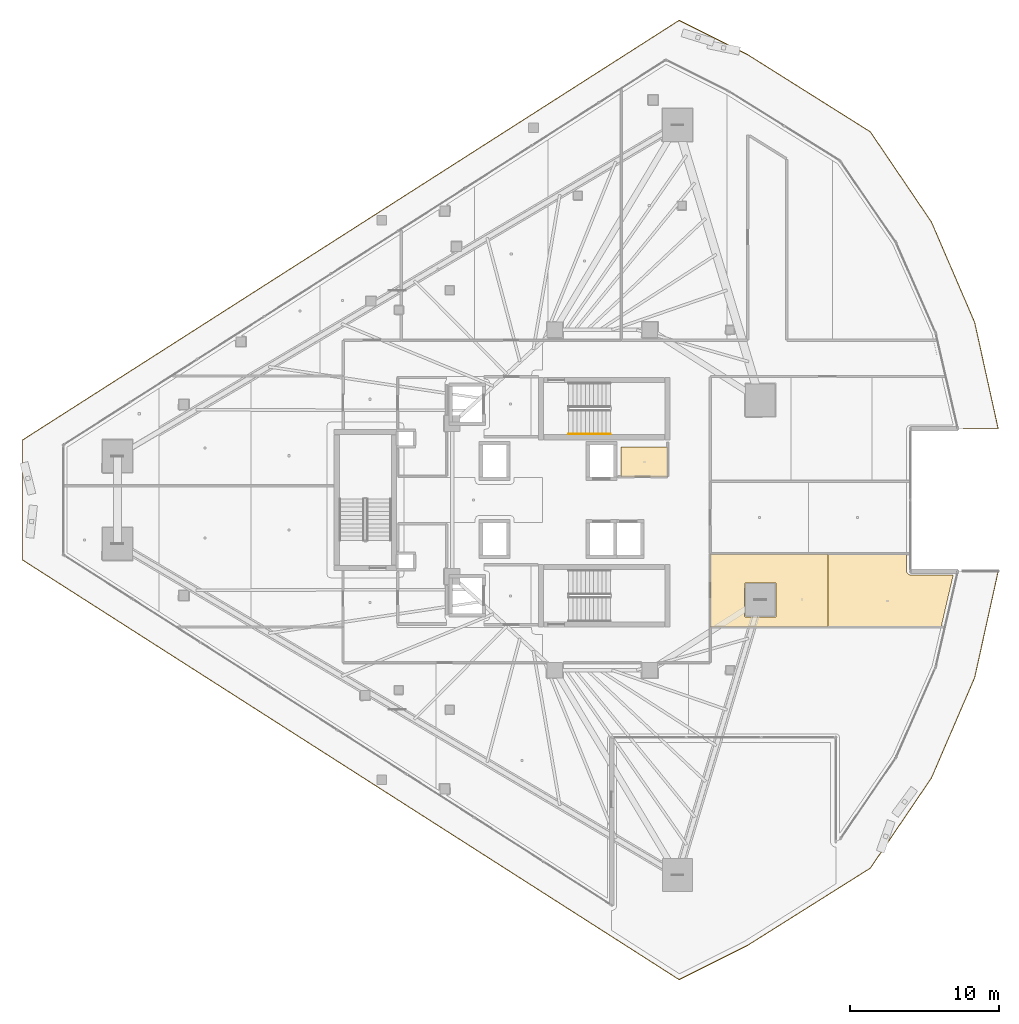
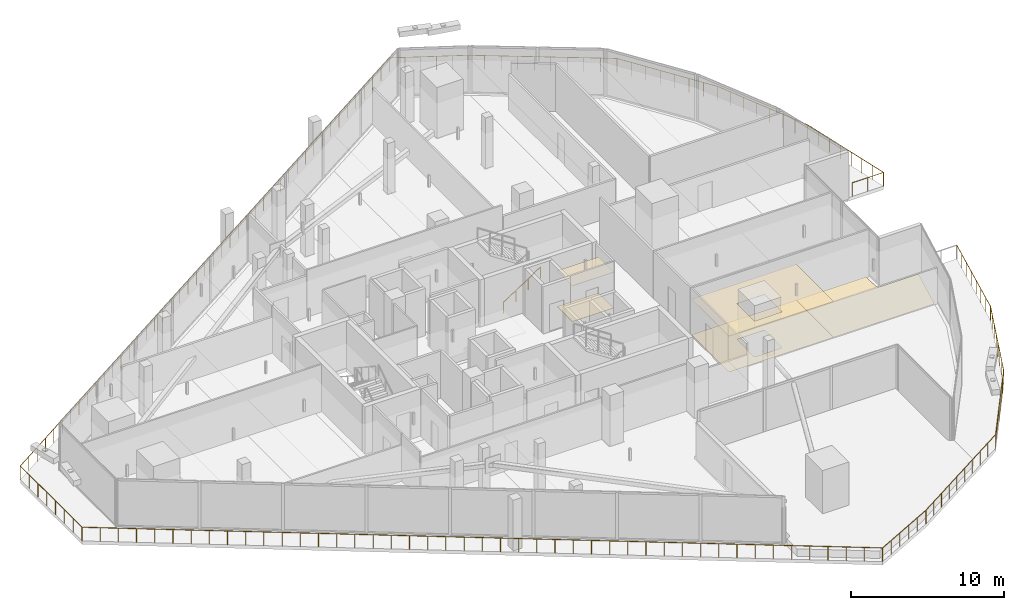
# One storey, part 40 of 43: 5 coverings, 2 railings.
"""IFC4 building model written with IfcOpenShell, lengths in metres."""

from ifc_helpers import new_model, si_unit, direction, frame, origin, origin_2d, place, context, subcontext, project, spatial, polyline, circle, outline, extrude, material, layer, layer_set, type_object, element, save


model = new_model("IFC4")

# Units and contexts
model_context = context("Model", 3, precision=1e-05, world=origin(), true_north=direction((0.0, 1.0)))
body_context = subcontext(model_context, "Body", "Model", "MODEL_VIEW")
ifc_project = project(units=[si_unit("LENGTHUNIT", "METRE"), si_unit("AREAUNIT", "SQUARE_METRE"), si_unit("VOLUMEUNIT", "CUBIC_METRE"), si_unit("PLANEANGLEUNIT", "RADIAN"), si_unit("MASSUNIT", "GRAM", prefix="KILO")], contexts=[model_context])

# Site, building, storey
site_placement = place(None, origin())
site = spatial("IfcSite", under=ifc_project, at=site_placement, CompositionType="ELEMENT")
building_placement = place(site_placement, origin())
building = spatial("IfcBuilding", under=site, at=building_placement, Name="Qorvath Tower", CompositionType="ELEMENT")
storey_placement = place(building_placement, frame((0.0, 0.0, 150.300048828125)))
storey = spatial("IfcBuildingStorey", under=building, at=storey_placement, Name="L34", CompositionType="ELEMENT", Elevation=150.300048828125)

# Coverings
ifc_material_1 = material(Name="Acoustic mineral fibre ceiling tile", Category="gypsum")
ifc_layer_1 = layer(ifc_material_1, 0.030029296875)
ifc_layer_set_1 = layer_set([ifc_layer_1], Name="COV-CEIL")
covering_type_1 = type_object("IfcCoveringType", Name="COV-CEIL", PredefinedType="CEILING", material=ifc_layer_set_1)
covering_1_placement = place(storey_placement, frame((0.0, 0.0, 2.849853515625)))
element("IfcCovering", 1, at=covering_1_placement, inside=storey, type_object=covering_type_1, Name="L34 Suspended Acoustic Ceiling 003", PredefinedType="CEILING", context=body_context, shape_type="SweptSolid", body=[
    extrude(outline(polyline([(-16.0048828125, 3.56005859375), (-19.139892578125, 3.56005859375), (-19.139892578125, 1.56494140625), (-16.0048828125, 1.56494140625), (-16.0048828125, 3.56005859375)])), origin(), (0.0, 0.0, 1.0), 0.030029296875),
])
covering_2_placement = place(storey_placement, frame((0.0, 0.0, 2.849853515625)))
element("IfcCovering", 2, at=covering_2_placement, inside=storey, type_object=covering_type_1, Name="L34 Suspended Acoustic Ceiling 020", PredefinedType="CEILING", context=body_context, shape_type="SweptSolid", body=[
    extrude(outline(polyline([(-5.210693359375, -8.537109375), (-5.210693359375, -3.623779296875), (-13.136962890625, -3.623779296875), (-13.136962890625, -8.537109375), (-5.210693359375, -8.537109375)]), holes=[polyline([(-10.830322265625, -7.8212890625), (-10.812744140625, -5.578857421875), (-8.727783203125, -5.578857421875), (-8.727783203125, -7.86376953125), (-10.770263671875, -7.88134765625), (-10.830322265625, -7.8212890625)])]), origin(), (0.0, 0.0, 1.0), 0.030029296875),
])
ifc_material_2 = material(Name="Low-VOC modular carpet tile", Category="textile")
ifc_layer_2 = layer(ifc_material_2, 0.014892578125)
ifc_layer_set_2 = layer_set([ifc_layer_2], Name="COV-FLOOR-CPT")
covering_type_2 = type_object("IfcCoveringType", Name="COV-FLOOR-CPT", PredefinedType="FLOORING", material=ifc_layer_set_2)
covering_3_placement = place(storey_placement, origin())
element("IfcCovering", 3, at=covering_3_placement, inside=storey, type_object=covering_type_2, Name="L34 Floor Finish 003", PredefinedType="FLOORING", context=body_context, shape_type="SweptSolid", body=[
    extrude(outline(polyline([(-16.0048828125, 3.56005859375), (-19.139892578125, 3.56005859375), (-19.139892578125, 1.56494140625), (-16.0048828125, 1.56494140625), (-16.0048828125, 3.56005859375)])), origin(), (0.0, 0.0, 1.0), 0.014892578125),
])
covering_4_placement = place(storey_placement, origin())
element("IfcCovering", 4, at=covering_4_placement, inside=storey, type_object=covering_type_2, Name="L34 Floor Finish 020", PredefinedType="FLOORING", context=body_context, shape_type="SweptSolid", body=[
    extrude(outline(polyline([(-5.210693359375, -8.537109375), (-5.210693359375, -3.623779296875), (-13.136962890625, -3.623779296875), (-13.136962890625, -8.537109375), (-5.210693359375, -8.537109375)]), holes=[polyline([(-10.830322265625, -7.8212890625), (-10.812744140625, -5.578857421875), (-8.727783203125, -5.578857421875), (-8.727783203125, -7.86376953125), (-10.770263671875, -7.88134765625), (-10.830322265625, -7.8212890625)])]), origin(), (0.0, 0.0, 1.0), 0.014892578125),
])
covering_5_placement = place(storey_placement, origin())
element("IfcCovering", 5, at=covering_5_placement, inside=storey, type_object=covering_type_2, Name="L34 Floor Finish 021", PredefinedType="FLOORING", context=body_context, shape_type="SweptSolid", body=[
    extrude(outline(polyline([(0.177001953125, -4.990966796875), (0.089599609375, -4.843994140625), (0.084716796875, -3.623779296875), (-5.210693359375, -3.623779296875), (-5.210693359375, -8.537109375), (2.408203125, -8.537109375), (3.2158203125, -5.05029296875), (0.315185546875, -5.049072265625), (0.177001953125, -4.990966796875)])), origin(), (0.0, 0.0, 1.0), 0.014892578125),
])

# Railings
ifc_material_3 = material(Name="Laminated safety glass and stainless steel AISI 316", Category="steel")
railing_type_1 = type_object("IfcRailingType", Name="RL-EXT-GRD", PredefinedType="GUARDRAIL", material=ifc_material_3)
railing_1_placement = place(storey_placement, frame((6.252685546875, -4.795166015625, 0.0)))
element("IfcRailing", 6, at=railing_1_placement, inside=storey, type_object=railing_type_1, Name="Loggia Perimeter Guardrail L34-1.1", PredefinedType="GUARDRAIL", context=body_context, shape_type="SweptSolid", body=[
    extrude(circle(Radius=0.02392578125, at=origin_2d()), frame((0.0, 0.0, 1.09619140625), z_axis=(-0.216081952591, -0.976375230003, 0.0), x_axis=(0.976375230003, -0.216081952591, 0.0)), (0.0, 0.0, 1.0), 7.343017578125),
    extrude(circle(Radius=0.02392578125, at=origin_2d()), frame((-1.586669921875, -7.16943359375, 1.09619140625), z_axis=(-0.395483671484, -0.918473007545, 0.0), x_axis=(0.918473007545, -0.395483671484, 0.0)), (0.0, 0.0, 1.0), 7.343017578125),
    extrude(circle(Radius=0.02392578125, at=origin_2d()), frame((-4.49072265625, -13.913818359375, 1.09619140625), z_axis=(-0.560823149811, -0.827935622278, 0.0), x_axis=(0.827935622278, -0.560823149811, 0.0)), (0.0, 0.0, 1.0), 7.343017578125),
    extrude(circle(Radius=0.02392578125, at=origin_2d()), frame((-8.60888671875, -19.993408203125, 1.09619140625), z_axis=(-0.846489105075, -0.532406043344, 0.0), x_axis=(0.532406043344, -0.846489105075, 0.0)), (0.0, 0.0, 1.0), 9.7646484375),
    extrude(circle(Radius=0.02392578125, at=origin_2d()), frame((-16.87451171875, -25.192138671875, 1.09619140625), z_axis=(-0.89443665724, -0.447194662518, 0.0), x_axis=(0.447194662518, -0.89443665724, 0.0)), (0.0, 0.0, 1.0), 5.157958984375),
    extrude(circle(Radius=0.02392578125, at=origin_2d()), frame((-21.488037109375, -27.498779296875, 1.09619140625), z_axis=(-0.842602658811, 0.538535754954, 0.0), x_axis=(-0.538535754954, -0.842602658811, 0.0)), (0.0, 0.0, 1.0), 52.470703125),
    extrude(circle(Radius=0.02392578125, at=origin_2d()), frame((-65.699951171875, 0.758544921875, 1.09619140625), z_axis=(0.0, 1.0, 0.0), x_axis=(-1.0, 0.0, 0.0)), (0.0, 0.0, 1.0), 8.0732421875),
    extrude(circle(Radius=0.02392578125, at=origin_2d()), frame((-65.699951171875, 8.831787109375, 1.09619140625), z_axis=(0.842602658811, 0.538535754954, 0.0), x_axis=(-0.538535754954, 0.842602658811, 0.0)), (0.0, 0.0, 1.0), 52.470703125),
    extrude(circle(Radius=0.02392578125, at=origin_2d()), frame((-21.488037109375, 37.089111328125, 1.09619140625), z_axis=(0.89443665724, -0.447194662518, 0.0), x_axis=(0.447194662518, 0.89443665724, 0.0)), (0.0, 0.0, 1.0), 5.157958984375),
    extrude(circle(Radius=0.02392578125, at=origin_2d()), frame((-16.87451171875, 34.782470703125, 1.09619140625), z_axis=(0.846489105075, -0.532406043344, 0.0), x_axis=(0.532406043344, 0.846489105075, 0.0)), (0.0, 0.0, 1.0), 9.7646484375),
    extrude(circle(Radius=0.02392578125, at=origin_2d()), frame((-8.60888671875, 29.583740234375, 1.09619140625), z_axis=(0.560823149811, -0.827935622278, 0.0), x_axis=(0.827935622278, 0.560823149811, 0.0)), (0.0, 0.0, 1.0), 7.343017578125),
    extrude(circle(Radius=0.02392578125, at=origin_2d()), frame((-4.49072265625, 23.504150390625, 1.09619140625), z_axis=(0.395483671484, -0.918473007545, 0.0), x_axis=(0.918473007545, 0.395483671484, 0.0)), (0.0, 0.0, 1.0), 7.343017578125),
    extrude(circle(Radius=0.02392578125, at=origin_2d()), frame((-1.586669921875, 16.759765625, 1.09619140625), z_axis=(0.216081952591, -0.976375230003, 0.0), x_axis=(0.976375230003, 0.216081952591, 0.0)), (0.0, 0.0, 1.0), 7.343017578125),
    extrude(circle(Radius=0.02392578125, at=origin_2d()), frame((0.0, 9.59033203125, 1.09619140625), z_axis=(-1.0, 0.0, 0.0), x_axis=(0.0, -1.0, 0.0)), (0.0, 0.0, 1.0), 2.366455078125),
    extrude(circle(Radius=0.02099609375, at=origin_2d()), origin(), (0.0, 0.0, 1.0), 1.072021484375),
    extrude(circle(Radius=0.02099609375, at=origin_2d()), frame((-0.2265625, -1.024169921875, 0.0)), (0.0, 0.0, 1.0), 1.072021484375),
    extrude(circle(Radius=0.02099609375, at=origin_2d()), frame((-0.453369140625, -2.04833984375, 0.0)), (0.0, 0.0, 1.0), 1.072021484375),
    extrude(circle(Radius=0.02099609375, at=origin_2d()), frame((-0.679931640625, -3.072509765625, 0.0)), (0.0, 0.0, 1.0), 1.072021484375),
    extrude(circle(Radius=0.02099609375, at=origin_2d()), frame((-0.90673828125, -4.096923828125, 0.0)), (0.0, 0.0, 1.0), 1.072021484375),
    extrude(circle(Radius=0.02099609375, at=origin_2d()), frame((-1.13330078125, -5.12109375, 0.0)), (0.0, 0.0, 1.0), 1.072021484375),
    extrude(circle(Radius=0.02099609375, at=origin_2d()), frame((-1.360107421875, -6.145263671875, 0.0)), (0.0, 0.0, 1.0), 1.072021484375),
    extrude(circle(Radius=0.02099609375, at=origin_2d()), frame((-1.586669921875, -7.16943359375, 0.0)), (0.0, 0.0, 1.0), 1.072021484375),
    extrude(circle(Radius=0.02099609375, at=origin_2d()), frame((-2.00146484375, -8.1328125, 0.0)), (0.0, 0.0, 1.0), 1.072021484375),
    extrude(circle(Radius=0.02099609375, at=origin_2d()), frame((-2.41650390625, -9.096435546875, 0.0)), (0.0, 0.0, 1.0), 1.072021484375),
    extrude(circle(Radius=0.02099609375, at=origin_2d()), frame((-2.831298828125, -10.059814453125, 0.0)), (0.0, 0.0, 1.0), 1.072021484375),
    extrude(circle(Radius=0.02099609375, at=origin_2d()), frame((-3.24609375, -11.0234375, 0.0)), (0.0, 0.0, 1.0), 1.072021484375),
    extrude(circle(Radius=0.02099609375, at=origin_2d()), frame((-3.660888671875, -11.98681640625, 0.0)), (0.0, 0.0, 1.0), 1.072021484375),
    extrude(circle(Radius=0.02099609375, at=origin_2d()), frame((-4.075927734375, -12.950439453125, 0.0)), (0.0, 0.0, 1.0), 1.072021484375),
    extrude(circle(Radius=0.02099609375, at=origin_2d()), frame((-4.49072265625, -13.913818359375, 0.0)), (0.0, 0.0, 1.0), 1.072021484375),
    extrude(circle(Radius=0.02099609375, at=origin_2d()), frame((-5.0791015625, -14.7822265625, 0.0)), (0.0, 0.0, 1.0), 1.072021484375),
    extrude(circle(Radius=0.02099609375, at=origin_2d()), frame((-5.667236328125, -15.65087890625, 0.0)), (0.0, 0.0, 1.0), 1.072021484375),
    extrude(circle(Radius=0.02099609375, at=origin_2d()), frame((-6.255615234375, -16.519287109375, 0.0)), (0.0, 0.0, 1.0), 1.072021484375),
    extrude(circle(Radius=0.02099609375, at=origin_2d()), frame((-6.843994140625, -17.387939453125, 0.0)), (0.0, 0.0, 1.0), 1.072021484375),
    extrude(circle(Radius=0.02099609375, at=origin_2d()), frame((-7.432373046875, -18.25634765625, 0.0)), (0.0, 0.0, 1.0), 1.072021484375),
    extrude(circle(Radius=0.02099609375, at=origin_2d()), frame((-8.0205078125, -19.125, 0.0)), (0.0, 0.0, 1.0), 1.072021484375),
    extrude(circle(Radius=0.02099609375, at=origin_2d()), frame((-8.60888671875, -19.993408203125, 0.0)), (0.0, 0.0, 1.0), 1.072021484375),
    extrude(circle(Radius=0.02099609375, at=origin_2d()), frame((-9.52734375, -20.571044921875, 0.0)), (0.0, 0.0, 1.0), 1.072021484375),
    extrude(circle(Radius=0.02099609375, at=origin_2d()), frame((-10.44580078125, -21.148681640625, 0.0)), (0.0, 0.0, 1.0), 1.072021484375),
    extrude(circle(Radius=0.02099609375, at=origin_2d()), frame((-11.364013671875, -21.726318359375, 0.0)), (0.0, 0.0, 1.0), 1.072021484375),
    extrude(circle(Radius=0.02099609375, at=origin_2d()), frame((-12.282470703125, -22.303955078125, 0.0)), (0.0, 0.0, 1.0), 1.072021484375),
    extrude(circle(Radius=0.02099609375, at=origin_2d()), frame((-13.200927734375, -22.881591796875, 0.0)), (0.0, 0.0, 1.0), 1.072021484375),
    extrude(circle(Radius=0.02099609375, at=origin_2d()), frame((-14.119384765625, -23.459228515625, 0.0)), (0.0, 0.0, 1.0), 1.072021484375),
    extrude(circle(Radius=0.02099609375, at=origin_2d()), frame((-15.03759765625, -24.036865234375, 0.0)), (0.0, 0.0, 1.0), 1.072021484375),
    extrude(circle(Radius=0.02099609375, at=origin_2d()), frame((-15.9560546875, -24.614501953125, 0.0)), (0.0, 0.0, 1.0), 1.072021484375),
    extrude(circle(Radius=0.02099609375, at=origin_2d()), frame((-16.87451171875, -25.192138671875, 0.0)), (0.0, 0.0, 1.0), 1.072021484375),
    extrude(circle(Radius=0.02099609375, at=origin_2d()), frame((-17.797119140625, -25.653564453125, 0.0)), (0.0, 0.0, 1.0), 1.072021484375),
    extrude(circle(Radius=0.02099609375, at=origin_2d()), frame((-18.719970703125, -26.11474609375, 0.0)), (0.0, 0.0, 1.0), 1.072021484375),
    extrude(circle(Radius=0.02099609375, at=origin_2d()), frame((-19.642578125, -26.576171875, 0.0)), (0.0, 0.0, 1.0), 1.072021484375),
    extrude(circle(Radius=0.02099609375, at=origin_2d()), frame((-20.5654296875, -27.037353515625, 0.0)), (0.0, 0.0, 1.0), 1.072021484375),
    extrude(circle(Radius=0.02099609375, at=origin_2d()), frame((-21.488037109375, -27.498779296875, 0.0)), (0.0, 0.0, 1.0), 1.072021484375),
    extrude(circle(Radius=0.02099609375, at=origin_2d()), frame((-22.492919921875, -26.8564453125, 0.0)), (0.0, 0.0, 1.0), 1.072021484375),
    extrude(circle(Radius=0.02099609375, at=origin_2d()), frame((-23.49755859375, -26.21435546875, 0.0)), (0.0, 0.0, 1.0), 1.072021484375),
    extrude(circle(Radius=0.02099609375, at=origin_2d()), frame((-24.50244140625, -25.572265625, 0.0)), (0.0, 0.0, 1.0), 1.072021484375),
    extrude(circle(Radius=0.02099609375, at=origin_2d()), frame((-25.50732421875, -24.929931640625, 0.0)), (0.0, 0.0, 1.0), 1.072021484375),
    extrude(circle(Radius=0.02099609375, at=origin_2d()), frame((-26.51220703125, -24.28759765625, 0.0)), (0.0, 0.0, 1.0), 1.072021484375),
    extrude(circle(Radius=0.02099609375, at=origin_2d()), frame((-27.516845703125, -23.6455078125, 0.0)), (0.0, 0.0, 1.0), 1.072021484375),
    extrude(circle(Radius=0.02099609375, at=origin_2d()), frame((-28.521728515625, -23.00341796875, 0.0)), (0.0, 0.0, 1.0), 1.072021484375),
    extrude(circle(Radius=0.02099609375, at=origin_2d()), frame((-29.526611328125, -22.361083984375, 0.0)), (0.0, 0.0, 1.0), 1.072021484375),
    extrude(circle(Radius=0.02099609375, at=origin_2d()), frame((-30.531494140625, -21.71875, 0.0)), (0.0, 0.0, 1.0), 1.072021484375),
    extrude(circle(Radius=0.02099609375, at=origin_2d()), frame((-31.5361328125, -21.07666015625, 0.0)), (0.0, 0.0, 1.0), 1.072021484375),
    extrude(circle(Radius=0.02099609375, at=origin_2d()), frame((-32.541015625, -20.4345703125, 0.0)), (0.0, 0.0, 1.0), 1.072021484375),
    extrude(circle(Radius=0.02099609375, at=origin_2d()), frame((-33.5458984375, -19.792236328125, 0.0)), (0.0, 0.0, 1.0), 1.072021484375),
    extrude(circle(Radius=0.02099609375, at=origin_2d()), frame((-34.550537109375, -19.14990234375, 0.0)), (0.0, 0.0, 1.0), 1.072021484375),
    extrude(circle(Radius=0.02099609375, at=origin_2d()), frame((-35.555419921875, -18.5078125, 0.0)), (0.0, 0.0, 1.0), 1.072021484375),
    extrude(circle(Radius=0.02099609375, at=origin_2d()), frame((-36.560302734375, -17.86572265625, 0.0)), (0.0, 0.0, 1.0), 1.072021484375),
    extrude(circle(Radius=0.02099609375, at=origin_2d()), frame((-37.565185546875, -17.223388671875, 0.0)), (0.0, 0.0, 1.0), 1.072021484375),
    extrude(circle(Radius=0.02099609375, at=origin_2d()), frame((-38.56982421875, -16.5810546875, 0.0)), (0.0, 0.0, 1.0), 1.072021484375),
    extrude(circle(Radius=0.02099609375, at=origin_2d()), frame((-39.57470703125, -15.93896484375, 0.0)), (0.0, 0.0, 1.0), 1.072021484375),
    extrude(circle(Radius=0.02099609375, at=origin_2d()), frame((-40.57958984375, -15.296875, 0.0)), (0.0, 0.0, 1.0), 1.072021484375),
    extrude(circle(Radius=0.02099609375, at=origin_2d()), frame((-41.58447265625, -14.654541015625, 0.0)), (0.0, 0.0, 1.0), 1.072021484375),
    extrude(circle(Radius=0.02099609375, at=origin_2d()), frame((-42.589111328125, -14.01220703125, 0.0)), (0.0, 0.0, 1.0), 1.072021484375),
    extrude(circle(Radius=0.02099609375, at=origin_2d()), frame((-43.593994140625, -13.3701171875, 0.0)), (0.0, 0.0, 1.0), 1.072021484375),
    extrude(circle(Radius=0.02099609375, at=origin_2d()), frame((-44.598876953125, -12.72802734375, 0.0)), (0.0, 0.0, 1.0), 1.072021484375),
    extrude(circle(Radius=0.02099609375, at=origin_2d()), frame((-45.603515625, -12.085693359375, 0.0)), (0.0, 0.0, 1.0), 1.072021484375),
    extrude(circle(Radius=0.02099609375, at=origin_2d()), frame((-46.6083984375, -11.443359375, 0.0)), (0.0, 0.0, 1.0), 1.072021484375),
    extrude(circle(Radius=0.02099609375, at=origin_2d()), frame((-47.61328125, -10.80126953125, 0.0)), (0.0, 0.0, 1.0), 1.072021484375),
    extrude(circle(Radius=0.02099609375, at=origin_2d()), frame((-48.6181640625, -10.1591796875, 0.0)), (0.0, 0.0, 1.0), 1.072021484375),
    extrude(circle(Radius=0.02099609375, at=origin_2d()), frame((-49.622802734375, -9.516845703125, 0.0)), (0.0, 0.0, 1.0), 1.072021484375),
    extrude(circle(Radius=0.02099609375, at=origin_2d()), frame((-50.627685546875, -8.87451171875, 0.0)), (0.0, 0.0, 1.0), 1.072021484375),
    extrude(circle(Radius=0.02099609375, at=origin_2d()), frame((-51.632568359375, -8.232421875, 0.0)), (0.0, 0.0, 1.0), 1.072021484375),
    extrude(circle(Radius=0.02099609375, at=origin_2d()), frame((-52.637451171875, -7.59033203125, 0.0)), (0.0, 0.0, 1.0), 1.072021484375),
    extrude(circle(Radius=0.02099609375, at=origin_2d()), frame((-53.64208984375, -6.947998046875, 0.0)), (0.0, 0.0, 1.0), 1.072021484375),
    extrude(circle(Radius=0.02099609375, at=origin_2d()), frame((-54.64697265625, -6.3056640625, 0.0)), (0.0, 0.0, 1.0), 1.072021484375),
    extrude(circle(Radius=0.02099609375, at=origin_2d()), frame((-55.65185546875, -5.66357421875, 0.0)), (0.0, 0.0, 1.0), 1.072021484375),
    extrude(circle(Radius=0.02099609375, at=origin_2d()), frame((-56.656494140625, -5.021484375, 0.0)), (0.0, 0.0, 1.0), 1.072021484375),
    extrude(circle(Radius=0.02099609375, at=origin_2d()), frame((-57.661376953125, -4.379150390625, 0.0)), (0.0, 0.0, 1.0), 1.072021484375),
    extrude(circle(Radius=0.02099609375, at=origin_2d()), frame((-58.666259765625, -3.73681640625, 0.0)), (0.0, 0.0, 1.0), 1.072021484375),
    extrude(circle(Radius=0.02099609375, at=origin_2d()), frame((-59.671142578125, -3.0947265625, 0.0)), (0.0, 0.0, 1.0), 1.072021484375),
    extrude(circle(Radius=0.02099609375, at=origin_2d()), frame((-60.67578125, -2.45263671875, 0.0)), (0.0, 0.0, 1.0), 1.072021484375),
    extrude(circle(Radius=0.02099609375, at=origin_2d()), frame((-61.6806640625, -1.810302734375, 0.0)), (0.0, 0.0, 1.0), 1.072021484375),
    extrude(circle(Radius=0.02099609375, at=origin_2d()), frame((-62.685546875, -1.16796875, 0.0)), (0.0, 0.0, 1.0), 1.072021484375),
    extrude(circle(Radius=0.02099609375, at=origin_2d()), frame((-63.6904296875, -0.52587890625, 0.0)), (0.0, 0.0, 1.0), 1.072021484375),
    extrude(circle(Radius=0.02099609375, at=origin_2d()), frame((-64.695068359375, 0.1162109375, 0.0)), (0.0, 0.0, 1.0), 1.072021484375),
    extrude(circle(Radius=0.02099609375, at=origin_2d()), frame((-65.699951171875, 0.758544921875, 0.0)), (0.0, 0.0, 1.0), 1.072021484375),
    extrude(circle(Radius=0.02099609375, at=origin_2d()), frame((-65.699951171875, 1.911865234375, 0.0)), (0.0, 0.0, 1.0), 1.072021484375),
    extrude(circle(Radius=0.02099609375, at=origin_2d()), frame((-65.699951171875, 3.065185546875, 0.0)), (0.0, 0.0, 1.0), 1.072021484375),
    extrude(circle(Radius=0.02099609375, at=origin_2d()), frame((-65.699951171875, 4.218505859375, 0.0)), (0.0, 0.0, 1.0), 1.072021484375),
    extrude(circle(Radius=0.02099609375, at=origin_2d()), frame((-65.699951171875, 5.371826171875, 0.0)), (0.0, 0.0, 1.0), 1.072021484375),
    extrude(circle(Radius=0.02099609375, at=origin_2d()), frame((-65.699951171875, 6.525146484375, 0.0)), (0.0, 0.0, 1.0), 1.072021484375),
    extrude(circle(Radius=0.02099609375, at=origin_2d()), frame((-65.699951171875, 7.678466796875, 0.0)), (0.0, 0.0, 1.0), 1.072021484375),
    extrude(circle(Radius=0.02099609375, at=origin_2d()), frame((-65.699951171875, 8.831787109375, 0.0)), (0.0, 0.0, 1.0), 1.072021484375),
    extrude(circle(Radius=0.02099609375, at=origin_2d()), frame((-64.695068359375, 9.47412109375, 0.0)), (0.0, 0.0, 1.0), 1.072021484375),
    extrude(circle(Radius=0.02099609375, at=origin_2d()), frame((-63.6904296875, 10.1162109375, 0.0)), (0.0, 0.0, 1.0), 1.072021484375),
    extrude(circle(Radius=0.02099609375, at=origin_2d()), frame((-62.685546875, 10.75830078125, 0.0)), (0.0, 0.0, 1.0), 1.072021484375),
    extrude(circle(Radius=0.02099609375, at=origin_2d()), frame((-61.6806640625, 11.400634765625, 0.0)), (0.0, 0.0, 1.0), 1.072021484375),
    extrude(circle(Radius=0.02099609375, at=origin_2d()), frame((-60.67578125, 12.04296875, 0.0)), (0.0, 0.0, 1.0), 1.072021484375),
    extrude(circle(Radius=0.02099609375, at=origin_2d()), frame((-59.671142578125, 12.68505859375, 0.0)), (0.0, 0.0, 1.0), 1.072021484375),
    extrude(circle(Radius=0.02099609375, at=origin_2d()), frame((-58.666259765625, 13.3271484375, 0.0)), (0.0, 0.0, 1.0), 1.072021484375),
    extrude(circle(Radius=0.02099609375, at=origin_2d()), frame((-57.661376953125, 13.969482421875, 0.0)), (0.0, 0.0, 1.0), 1.072021484375),
    extrude(circle(Radius=0.02099609375, at=origin_2d()), frame((-56.656494140625, 14.61181640625, 0.0)), (0.0, 0.0, 1.0), 1.072021484375),
    extrude(circle(Radius=0.02099609375, at=origin_2d()), frame((-55.65185546875, 15.25390625, 0.0)), (0.0, 0.0, 1.0), 1.072021484375),
    extrude(circle(Radius=0.02099609375, at=origin_2d()), frame((-54.64697265625, 15.89599609375, 0.0)), (0.0, 0.0, 1.0), 1.072021484375),
    extrude(circle(Radius=0.02099609375, at=origin_2d()), frame((-53.64208984375, 16.538330078125, 0.0)), (0.0, 0.0, 1.0), 1.072021484375),
    extrude(circle(Radius=0.02099609375, at=origin_2d()), frame((-52.637451171875, 17.1806640625, 0.0)), (0.0, 0.0, 1.0), 1.072021484375),
    extrude(circle(Radius=0.02099609375, at=origin_2d()), frame((-51.632568359375, 17.82275390625, 0.0)), (0.0, 0.0, 1.0), 1.072021484375),
    extrude(circle(Radius=0.02099609375, at=origin_2d()), frame((-50.627685546875, 18.46484375, 0.0)), (0.0, 0.0, 1.0), 1.072021484375),
    extrude(circle(Radius=0.02099609375, at=origin_2d()), frame((-49.622802734375, 19.107177734375, 0.0)), (0.0, 0.0, 1.0), 1.072021484375),
    extrude(circle(Radius=0.02099609375, at=origin_2d()), frame((-48.6181640625, 19.74951171875, 0.0)), (0.0, 0.0, 1.0), 1.072021484375),
    extrude(circle(Radius=0.02099609375, at=origin_2d()), frame((-47.61328125, 20.3916015625, 0.0)), (0.0, 0.0, 1.0), 1.072021484375),
    extrude(circle(Radius=0.02099609375, at=origin_2d()), frame((-46.6083984375, 21.03369140625, 0.0)), (0.0, 0.0, 1.0), 1.072021484375),
    extrude(circle(Radius=0.02099609375, at=origin_2d()), frame((-45.603515625, 21.676025390625, 0.0)), (0.0, 0.0, 1.0), 1.072021484375),
    extrude(circle(Radius=0.02099609375, at=origin_2d()), frame((-44.598876953125, 22.318359375, 0.0)), (0.0, 0.0, 1.0), 1.072021484375),
    extrude(circle(Radius=0.02099609375, at=origin_2d()), frame((-43.593994140625, 22.96044921875, 0.0)), (0.0, 0.0, 1.0), 1.072021484375),
    extrude(circle(Radius=0.02099609375, at=origin_2d()), frame((-42.589111328125, 23.6025390625, 0.0)), (0.0, 0.0, 1.0), 1.072021484375),
    extrude(circle(Radius=0.02099609375, at=origin_2d()), frame((-41.58447265625, 24.244873046875, 0.0)), (0.0, 0.0, 1.0), 1.072021484375),
    extrude(circle(Radius=0.02099609375, at=origin_2d()), frame((-40.57958984375, 24.88720703125, 0.0)), (0.0, 0.0, 1.0), 1.072021484375),
    extrude(circle(Radius=0.02099609375, at=origin_2d()), frame((-39.57470703125, 25.529296875, 0.0)), (0.0, 0.0, 1.0), 1.072021484375),
    extrude(circle(Radius=0.02099609375, at=origin_2d()), frame((-38.56982421875, 26.17138671875, 0.0)), (0.0, 0.0, 1.0), 1.072021484375),
    extrude(circle(Radius=0.02099609375, at=origin_2d()), frame((-37.565185546875, 26.813720703125, 0.0)), (0.0, 0.0, 1.0), 1.072021484375),
    extrude(circle(Radius=0.02099609375, at=origin_2d()), frame((-36.560302734375, 27.4560546875, 0.0)), (0.0, 0.0, 1.0), 1.072021484375),
    extrude(circle(Radius=0.02099609375, at=origin_2d()), frame((-35.555419921875, 28.09814453125, 0.0)), (0.0, 0.0, 1.0), 1.072021484375),
    extrude(circle(Radius=0.02099609375, at=origin_2d()), frame((-34.550537109375, 28.740234375, 0.0)), (0.0, 0.0, 1.0), 1.072021484375),
    extrude(circle(Radius=0.02099609375, at=origin_2d()), frame((-33.5458984375, 29.382568359375, 0.0)), (0.0, 0.0, 1.0), 1.072021484375),
    extrude(circle(Radius=0.02099609375, at=origin_2d()), frame((-32.541015625, 30.02490234375, 0.0)), (0.0, 0.0, 1.0), 1.072021484375),
    extrude(circle(Radius=0.02099609375, at=origin_2d()), frame((-31.5361328125, 30.6669921875, 0.0)), (0.0, 0.0, 1.0), 1.072021484375),
    extrude(circle(Radius=0.02099609375, at=origin_2d()), frame((-30.531494140625, 31.30908203125, 0.0)), (0.0, 0.0, 1.0), 1.072021484375),
    extrude(circle(Radius=0.02099609375, at=origin_2d()), frame((-29.526611328125, 31.951416015625, 0.0)), (0.0, 0.0, 1.0), 1.072021484375),
    extrude(circle(Radius=0.02099609375, at=origin_2d()), frame((-28.521728515625, 32.59375, 0.0)), (0.0, 0.0, 1.0), 1.072021484375),
    extrude(circle(Radius=0.02099609375, at=origin_2d()), frame((-27.516845703125, 33.23583984375, 0.0)), (0.0, 0.0, 1.0), 1.072021484375),
    extrude(circle(Radius=0.02099609375, at=origin_2d()), frame((-26.51220703125, 33.8779296875, 0.0)), (0.0, 0.0, 1.0), 1.072021484375),
    extrude(circle(Radius=0.02099609375, at=origin_2d()), frame((-25.50732421875, 34.520263671875, 0.0)), (0.0, 0.0, 1.0), 1.072021484375),
    extrude(circle(Radius=0.02099609375, at=origin_2d()), frame((-24.50244140625, 35.16259765625, 0.0)), (0.0, 0.0, 1.0), 1.072021484375),
    extrude(circle(Radius=0.02099609375, at=origin_2d()), frame((-23.49755859375, 35.8046875, 0.0)), (0.0, 0.0, 1.0), 1.072021484375),
    extrude(circle(Radius=0.02099609375, at=origin_2d()), frame((-22.492919921875, 36.44677734375, 0.0)), (0.0, 0.0, 1.0), 1.072021484375),
    extrude(circle(Radius=0.02099609375, at=origin_2d()), frame((-21.488037109375, 37.089111328125, 0.0)), (0.0, 0.0, 1.0), 1.072021484375),
    extrude(circle(Radius=0.02099609375, at=origin_2d()), frame((-20.5654296875, 36.627685546875, 0.0)), (0.0, 0.0, 1.0), 1.072021484375),
    extrude(circle(Radius=0.02099609375, at=origin_2d()), frame((-19.642578125, 36.16650390625, 0.0)), (0.0, 0.0, 1.0), 1.072021484375),
    extrude(circle(Radius=0.02099609375, at=origin_2d()), frame((-18.719970703125, 35.705078125, 0.0)), (0.0, 0.0, 1.0), 1.072021484375),
    extrude(circle(Radius=0.02099609375, at=origin_2d()), frame((-17.797119140625, 35.243896484375, 0.0)), (0.0, 0.0, 1.0), 1.072021484375),
    extrude(circle(Radius=0.02099609375, at=origin_2d()), frame((-16.87451171875, 34.782470703125, 0.0)), (0.0, 0.0, 1.0), 1.072021484375),
    extrude(circle(Radius=0.02099609375, at=origin_2d()), frame((-15.9560546875, 34.204833984375, 0.0)), (0.0, 0.0, 1.0), 1.072021484375),
    extrude(circle(Radius=0.02099609375, at=origin_2d()), frame((-15.03759765625, 33.627197265625, 0.0)), (0.0, 0.0, 1.0), 1.072021484375),
    extrude(circle(Radius=0.02099609375, at=origin_2d()), frame((-14.119384765625, 33.049560546875, 0.0)), (0.0, 0.0, 1.0), 1.072021484375),
    extrude(circle(Radius=0.02099609375, at=origin_2d()), frame((-13.200927734375, 32.471923828125, 0.0)), (0.0, 0.0, 1.0), 1.072021484375),
    extrude(circle(Radius=0.02099609375, at=origin_2d()), frame((-12.282470703125, 31.894287109375, 0.0)), (0.0, 0.0, 1.0), 1.072021484375),
    extrude(circle(Radius=0.02099609375, at=origin_2d()), frame((-11.364013671875, 31.316650390625, 0.0)), (0.0, 0.0, 1.0), 1.072021484375),
    extrude(circle(Radius=0.02099609375, at=origin_2d()), frame((-10.44580078125, 30.739013671875, 0.0)), (0.0, 0.0, 1.0), 1.072021484375),
    extrude(circle(Radius=0.02099609375, at=origin_2d()), frame((-9.52734375, 30.161376953125, 0.0)), (0.0, 0.0, 1.0), 1.072021484375),
    extrude(circle(Radius=0.02099609375, at=origin_2d()), frame((-8.60888671875, 29.583740234375, 0.0)), (0.0, 0.0, 1.0), 1.072021484375),
    extrude(circle(Radius=0.02099609375, at=origin_2d()), frame((-8.0205078125, 28.71533203125, 0.0)), (0.0, 0.0, 1.0), 1.072021484375),
    extrude(circle(Radius=0.02099609375, at=origin_2d()), frame((-7.432373046875, 27.8466796875, 0.0)), (0.0, 0.0, 1.0), 1.072021484375),
    extrude(circle(Radius=0.02099609375, at=origin_2d()), frame((-6.843994140625, 26.978271484375, 0.0)), (0.0, 0.0, 1.0), 1.072021484375),
    extrude(circle(Radius=0.02099609375, at=origin_2d()), frame((-6.255615234375, 26.109619140625, 0.0)), (0.0, 0.0, 1.0), 1.072021484375),
    extrude(circle(Radius=0.02099609375, at=origin_2d()), frame((-5.667236328125, 25.2412109375, 0.0)), (0.0, 0.0, 1.0), 1.072021484375),
    extrude(circle(Radius=0.02099609375, at=origin_2d()), frame((-5.0791015625, 24.37255859375, 0.0)), (0.0, 0.0, 1.0), 1.072021484375),
    extrude(circle(Radius=0.02099609375, at=origin_2d()), frame((-4.49072265625, 23.504150390625, 0.0)), (0.0, 0.0, 1.0), 1.072021484375),
    extrude(circle(Radius=0.02099609375, at=origin_2d()), frame((-4.075927734375, 22.540771484375, 0.0)), (0.0, 0.0, 1.0), 1.072021484375),
    extrude(circle(Radius=0.02099609375, at=origin_2d()), frame((-3.660888671875, 21.5771484375, 0.0)), (0.0, 0.0, 1.0), 1.072021484375),
    extrude(circle(Radius=0.02099609375, at=origin_2d()), frame((-3.24609375, 20.61376953125, 0.0)), (0.0, 0.0, 1.0), 1.072021484375),
    extrude(circle(Radius=0.02099609375, at=origin_2d()), frame((-2.831298828125, 19.650146484375, 0.0)), (0.0, 0.0, 1.0), 1.072021484375),
    extrude(circle(Radius=0.02099609375, at=origin_2d()), frame((-2.41650390625, 18.686767578125, 0.0)), (0.0, 0.0, 1.0), 1.072021484375),
    extrude(circle(Radius=0.02099609375, at=origin_2d()), frame((-2.00146484375, 17.72314453125, 0.0)), (0.0, 0.0, 1.0), 1.072021484375),
    extrude(circle(Radius=0.02099609375, at=origin_2d()), frame((-1.586669921875, 16.759765625, 0.0)), (0.0, 0.0, 1.0), 1.072021484375),
    extrude(circle(Radius=0.02099609375, at=origin_2d()), frame((-1.360107421875, 15.735595703125, 0.0)), (0.0, 0.0, 1.0), 1.072021484375),
    extrude(circle(Radius=0.02099609375, at=origin_2d()), frame((-1.13330078125, 14.71142578125, 0.0)), (0.0, 0.0, 1.0), 1.072021484375),
    extrude(circle(Radius=0.02099609375, at=origin_2d()), frame((-0.90673828125, 13.687255859375, 0.0)), (0.0, 0.0, 1.0), 1.072021484375),
    extrude(circle(Radius=0.02099609375, at=origin_2d()), frame((-0.679931640625, 12.662841796875, 0.0)), (0.0, 0.0, 1.0), 1.072021484375),
    extrude(circle(Radius=0.02099609375, at=origin_2d()), frame((-0.453369140625, 11.638671875, 0.0)), (0.0, 0.0, 1.0), 1.072021484375),
    extrude(circle(Radius=0.02099609375, at=origin_2d()), frame((-0.2265625, 10.614501953125, 0.0)), (0.0, 0.0, 1.0), 1.072021484375),
    extrude(circle(Radius=0.02099609375, at=origin_2d()), frame((0.0, 9.59033203125, 0.0)), (0.0, 0.0, 1.0), 1.072021484375),
    extrude(circle(Radius=0.02099609375, at=origin_2d()), frame((-1.18310546875, 9.59033203125, 0.0)), (0.0, 0.0, 1.0), 1.072021484375),
    extrude(circle(Radius=0.02099609375, at=origin_2d()), frame((-2.366455078125, 9.59033203125, 0.0)), (0.0, 0.0, 1.0), 1.072021484375),
])
ifc_material_4 = material(Name="Brushed stainless steel AISI 304", Category="steel")
railing_type_2 = type_object("IfcRailingType", Name="RL-STR-HND", PredefinedType="HANDRAIL", material=ifc_material_4)
railing_2_placement = place(storey_placement, frame((-22.669921875, 4.449951171875, 0.18408203125)))
element("IfcRailing", 7, at=railing_2_placement, inside=storey, type_object=railing_type_2, Name="L34 TS1 stair handrail 1", PredefinedType="HANDRAIL", context=body_context, shape_type="SweptSolid", body=[
    extrude(circle(Radius=0.02392578125, at=origin_2d()), frame((0.0, 0.0, 0.8759765625), z_axis=(0.835575518608, 0.0, 0.549375602573), x_axis=(0.0, 1.0, 0.0)), (0.0, 0.0, 1.0), 3.350830078125),
    extrude(circle(Radius=0.02099609375, at=origin_2d()), origin(), (0.0, 0.0, 1.0), 0.851806640625),
    extrude(circle(Radius=0.02099609375, at=origin_2d()), frame((0.933349609375, 0.0, 0.613525390625)), (0.0, 0.0, 1.0), 0.851806640625),
    extrude(circle(Radius=0.02099609375, at=origin_2d()), frame((1.866455078125, 0.0, 1.227294921875)), (0.0, 0.0, 1.0), 0.851806640625),
    extrude(circle(Radius=0.02099609375, at=origin_2d()), frame((2.7998046875, 0.0, 1.8408203125)), (0.0, 0.0, 1.0), 0.851806640625),
])

save(model, "model.ifc")
